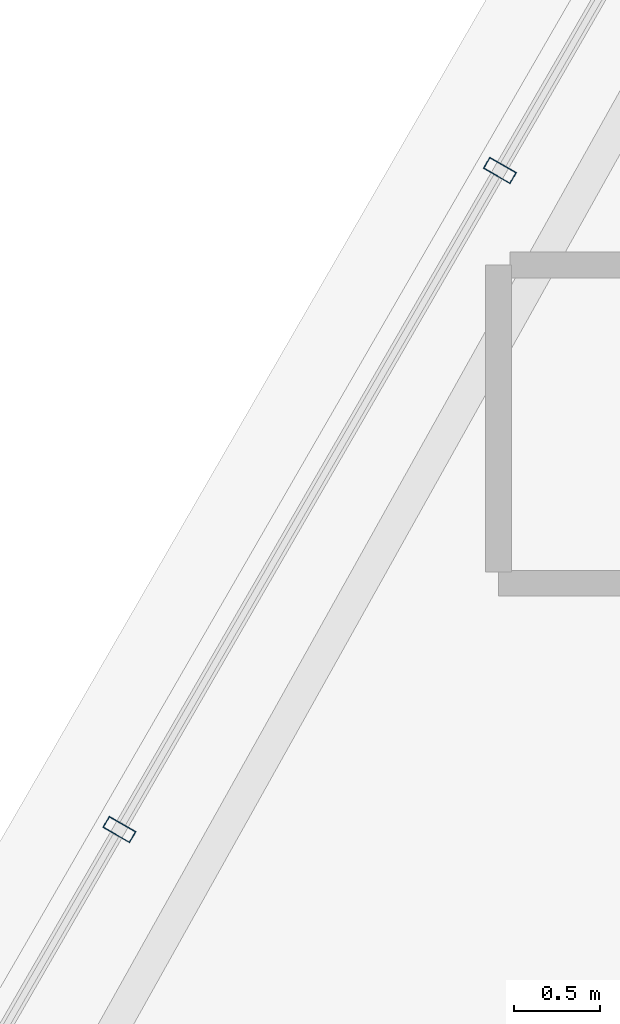
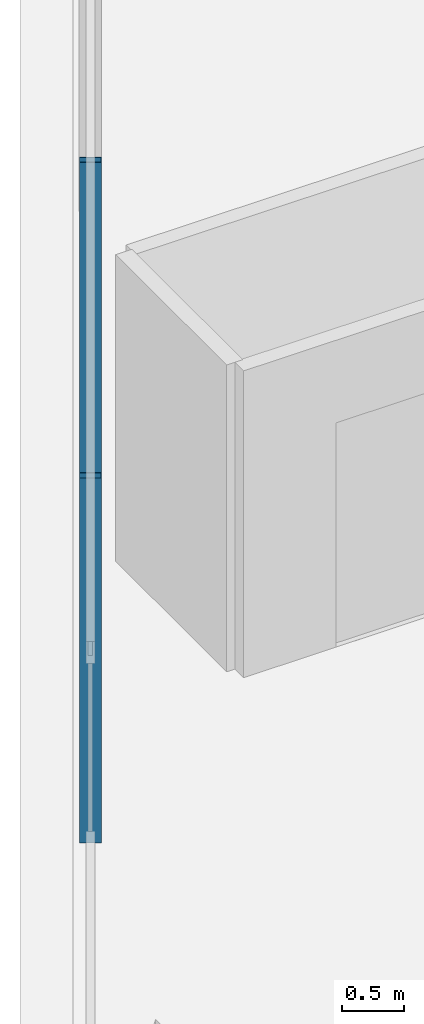
# One storey, part 6 of 34: 2 members, 1 element without a shape of its own.
"""IFC4 building model written with IfcOpenShell, lengths in metres."""

from ifc_helpers import new_model, si_unit, direction, frame, origin, origin_2d, place, context, subcontext, project, spatial, hollow_rectangle, extrude, material, layer, layer_set, material_profile, profile_set, type_object, element, aggregate, save


model = new_model("IFC4")

# Units and contexts
model_context = context("Model", 3, precision=1e-05, world=origin(), true_north=direction((0.0, 1.0)))
body_context = subcontext(model_context, "Body", "Model", "MODEL_VIEW")
ifc_project = project(units=[si_unit("LENGTHUNIT", "METRE"), si_unit("AREAUNIT", "SQUARE_METRE"), si_unit("VOLUMEUNIT", "CUBIC_METRE"), si_unit("PLANEANGLEUNIT", "RADIAN"), si_unit("MASSUNIT", "GRAM", prefix="KILO")], contexts=[model_context])

# Site, building, storey
site_placement = place(None, origin())
site = spatial("IfcSite", under=ifc_project, at=site_placement, CompositionType="ELEMENT")
building_placement = place(site_placement, origin())
building = spatial("IfcBuilding", under=site, at=building_placement, Name="Ndaravel Arena Tower", CompositionType="ELEMENT")
storey_placement = place(building_placement, frame((0.0, 0.0, 263.60009765625)))
storey = spatial("IfcBuildingStorey", under=building, at=storey_placement, Name="L64", CompositionType="ELEMENT", Elevation=263.60009765625)

# Curtain wall, members
ifc_material_1 = material(Name="Aluminium", Category="aluminium")
ifc_layer = layer(ifc_material_1, 0.179931640625)
ifc_layer_set = layer_set([ifc_layer], Name="Aluminium")
curtain_wall_type = type_object("IfcCurtainWallType", Name="CW-SYS-03", PredefinedType="NOTDEFINED", material=ifc_layer_set)
curtain_wall_placement = place(storey_placement, origin())
curtain_wall = element("IfcCurtainWall", 1, at=curtain_wall_placement, inside=storey, type_object=curtain_wall_type, Name="L64 Faceted Crystal Curtain Wall CW-L64-E05", PredefinedType="NOTDEFINED")
ifc_material_2 = material(Name="Aluminium", Category="aluminium")
ifc_material_profile = material_profile(ifc_material_2, hollow_rectangle(XDim=0.074951171875, YDim=0.179931640625, WallThickness=0.00390625, at=origin_2d()), Name="CW MULLION 75x180x4")
ifc_profile_set = profile_set([ifc_material_profile], Name="Aluminium")
member_type = type_object("IfcMemberType", Name="MEM-CW-MUL180", PredefinedType="MULLION", material=ifc_profile_set)
member_1_placement = place(storey_placement, frame((23.791259765625, 17.548583984375, 0.0), z_axis=(0.0, 0.0, 1.0), x_axis=(-0.5, -0.866025403784, 0.0)))
member_1 = element("IfcMember", 2, at=member_1_placement, type_object=member_type, Name="CW-L64-E05 Mullion 07", PredefinedType="MULLION", context=body_context, shape_type="SweptSolid", body=[
    extrude(hollow_rectangle(XDim=0.074951171875, YDim=0.179931640625, WallThickness=0.00390625, at=origin_2d()), origin(), (0.0, 0.0, 1.0), 3.579833984375),
])
member_2_placement = place(storey_placement, frame((21.580078125, 13.71875, 0.0), z_axis=(0.0, 0.0, 1.0), x_axis=(-0.5, -0.866025403784, 0.0)))
member_2 = element("IfcMember", 3, at=member_2_placement, type_object=member_type, Name="CW-L64-E05 Mullion 08", PredefinedType="MULLION", context=body_context, shape_type="SweptSolid", body=[
    extrude(hollow_rectangle(XDim=0.074951171875, YDim=0.179931640625, WallThickness=0.00390625, at=origin_2d()), origin(), (0.0, 0.0, 1.0), 3.579833984375),
])
aggregate(curtain_wall, [member_1, member_2])

save(model, "model.ifc")
